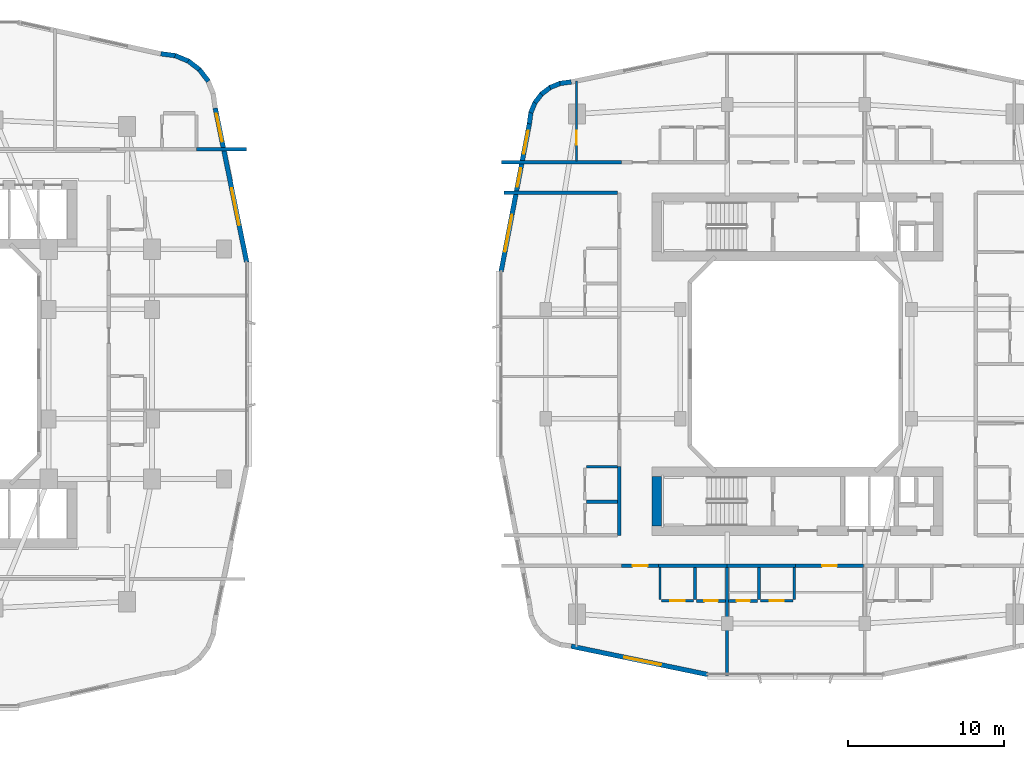
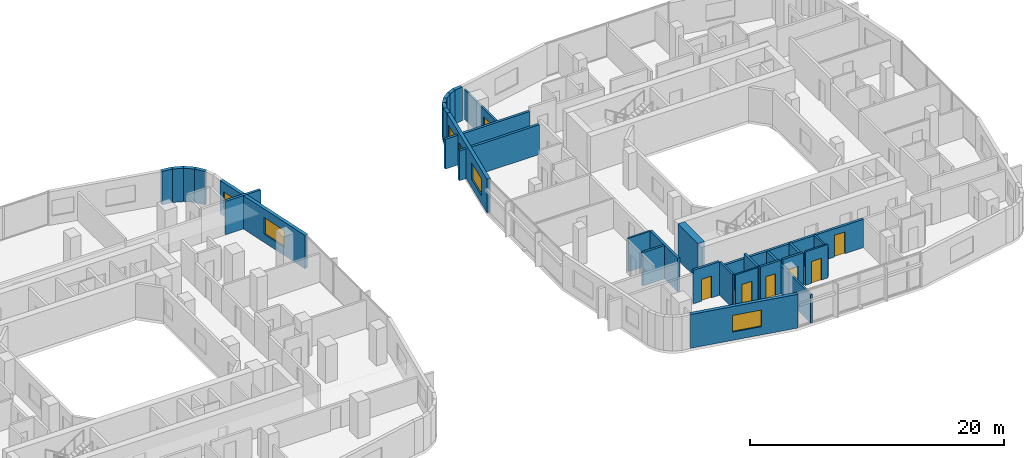
# One storey, part 17 of 26: 34 walls, 7 doors, 6 windows, 13 openings.
"""IFC4 building model written with IfcOpenShell, lengths in metres."""

import ifcopenshell
import ifcopenshell.guid

model = None  # the IFC model being written
_history = None  # IfcOwnerHistory: only IFC2X3 demands one
_inside = {}  # id of a spatial element -> (the spatial element, [elements in it])
_under = {}  # id of a project, library or spatial element -> (it, [spatial elements below it])
_declared = {}  # id of a project -> (the project, [libraries it declares])
_typed = {}  # id of a type object -> (the type object, [elements of that type])
_made_of = {}  # id of a material, layer set ... -> (it, [elements and type objects made of it])


def new_model(schema):
    """Start an empty IFC model of exactly this schema.

    Asked for "IFC4X3", IfcOpenShell would pick the latest addendum, in which some entities
    have other attributes; the version numbers below select the first issue.
    IFC2X3 requires an IfcOwnerHistory on every rooted entity: one is made here for all.
    """
    global model, _history
    if schema == "IFC4X3":
        model = ifcopenshell.file(schema_version=(4, 3, 0, 0))
    else:
        model = ifcopenshell.file(schema=schema)
    _inside.clear()
    _under.clear()
    _declared.clear()
    _typed.clear()
    _made_of.clear()
    _history = None
    if model.schema == "IFC2X3":
        org = make("IfcOrganization", Name="unknown")
        user = make(
            "IfcPersonAndOrganization",
            ThePerson=make("IfcPerson", FamilyName="unknown"),
            TheOrganization=org,
        )
        app = make(
            "IfcApplication",
            ApplicationDeveloper=org,
            Version="unknown",
            ApplicationFullName="unknown",
            ApplicationIdentifier="unknown",
        )
        _history = make(
            "IfcOwnerHistory",
            OwningUser=user,
            OwningApplication=app,
            ChangeAction="ADDED",
            CreationDate=0,
        )
    return model


def make(cls, **values):
    """One entity of the class cls with the attributes given. An attribute that is None is left unset."""
    return model.create_entity(
        cls, **{name: value for name, value in values.items() if value is not None}
    )


def rooted(cls, **values):
    """An entity with a GlobalId (a new one), such as an element, a storey or a relation."""
    return make(cls, GlobalId=ifcopenshell.guid.new(), OwnerHistory=_history, **values)


def si_unit(unit_type, name, prefix=None):
    """IfcSIUnit, for example si_unit("LENGTHUNIT", "METRE", prefix="MILLI")."""
    return make("IfcSIUnit", UnitType=unit_type, Prefix=prefix, Name=name)


def derived_unit(unit_type, elements):
    """IfcDerivedUnit: a product of units, each with its exponent."""
    return make(
        "IfcDerivedUnit",
        Elements=[
            make("IfcDerivedUnitElement", Unit=unit, Exponent=power)
            for unit, power in elements
        ],
        UnitType=unit_type,
    )


def assignment(units):
    """IfcUnitAssignment: the units of a project."""
    return None if units is None else make("IfcUnitAssignment", Units=units)


def point(xyz):
    """IfcCartesianPoint."""
    return None if xyz is None else make("IfcCartesianPoint", Coordinates=xyz)


def direction(xyz):
    """IfcDirection."""
    return None if xyz is None else make("IfcDirection", DirectionRatios=xyz)


def frame(location, z_axis=None, x_axis=None):
    """IfcAxis2Placement3D, a coordinate frame: its origin and axes. An axis left out is left unset."""
    return make(
        "IfcAxis2Placement3D",
        Location=point(location),
        Axis=direction(z_axis),
        RefDirection=direction(x_axis),
    )


def frame_2d(location, x_axis=None):
    """IfcAxis2Placement2D, a coordinate frame in the plane: its origin and x axis."""
    return make(
        "IfcAxis2Placement2D", Location=point(location), RefDirection=direction(x_axis)
    )


def origin():
    """The frame at (0, 0, 0) with its axes left unset."""
    return frame((0.0, 0.0, 0.0))


def place(relative_to, where):
    """IfcLocalPlacement: puts the frame where relative to a parent placement (None: the world)."""
    return make(
        "IfcLocalPlacement", PlacementRelTo=relative_to, RelativePlacement=where
    )


def context(
    kind, dimensions, precision=None, world=None, true_north=None, identifier=None
):
    """IfcGeometricRepresentationContext, for example the 3D "Model" context."""
    return make(
        "IfcGeometricRepresentationContext",
        ContextIdentifier=identifier,
        ContextType=kind,
        CoordinateSpaceDimension=dimensions,
        Precision=precision,
        WorldCoordinateSystem=world,
        TrueNorth=true_north,
    )


def subcontext(parent, identifier, kind, view, scale=None):
    """IfcGeometricRepresentationSubContext, for example "Body" below "Model"."""
    return make(
        "IfcGeometricRepresentationSubContext",
        ContextIdentifier=identifier,
        ContextType=kind,
        ParentContext=parent,
        TargetScale=scale,
        TargetView=view,
    )


def project(units=None, contexts=None):
    """IfcProject with its units and contexts."""
    return rooted(
        "IfcProject",
        Name="project",
        RepresentationContexts=contexts,
        UnitsInContext=assignment(units),
    )


def spatial(cls, under=None, at=None, **own):
    """A site, building, storey or space (cls), placed at a placement, below another one or the project."""
    s = rooted(cls, ObjectPlacement=at, **own)
    if under is not None:
        _under.setdefault(under.id(), (under, []))[1].append(s)
    return s


def profile(cls, at=None, kind="AREA", **sizes):
    """A parametric profile (cls). Its sizes go by their IFC names, for example OverallWidth=200.0."""
    return make(cls, ProfileType=kind, Position=at, **sizes)


def rectangle(**sizes):
    """IfcRectangleProfileDef."""
    return profile("IfcRectangleProfileDef", **sizes)


def extrude(swept, where, along, depth):
    """IfcExtrudedAreaSolid: the profile swept, set in the frame where, extruded along a direction by depth."""
    return make(
        "IfcExtrudedAreaSolid",
        SweptArea=swept,
        Position=where,
        ExtrudedDirection=direction(along),
        Depth=depth,
    )


def shape(context_of_items, identifier, shape_type, items):
    """IfcShapeRepresentation: the items that make up one representation, for example the "Body"."""
    return make(
        "IfcShapeRepresentation",
        ContextOfItems=context_of_items,
        RepresentationIdentifier=identifier,
        RepresentationType=shape_type,
        Items=items,
    )


def material(Name=None, Category=None):
    """IfcMaterial."""
    return make("IfcMaterial", Name=Name, Category=Category)


def layer(
    of_material, thickness, ventilated=None, Name=None, Category=None, Priority=None
):
    """IfcMaterialLayer: one layer of a wall or slab, of a material (None: an air gap)."""
    return make(
        "IfcMaterialLayer",
        Material=of_material,
        LayerThickness=thickness,
        IsVentilated=ventilated,
        Name=Name,
        Category=Category,
        Priority=Priority,
    )


def layer_set(layers, Name=None):
    """IfcMaterialLayerSet."""
    return make("IfcMaterialLayerSet", MaterialLayers=layers, LayerSetName=Name)


def made_of(thing, what):
    """Note that an element or type object is made of a material, layer set ...; save() writes the relation."""
    if what is not None:
        _made_of.setdefault(what.id(), (what, []))[1].append(thing)
    return thing


def type_object(cls, material=None, **own):
    """A type object (cls), such as IfcWallType, which elements share."""
    return made_of(rooted(cls, **own), material)


def element(
    cls,
    number,
    at=None,
    inside=None,
    cuts=None,
    type_object=None,
    material=None,
    context=None,
    identifier="Body",
    shape_type=None,
    held_by="IfcProductDefinitionShape",
    body=None,
    shapes=None,
    **own,
):
    """One element of the class cls, such as IfcWall. Its Tag is "e" and its number.

    at: its placement. inside: the storey or other place that contains it. cuts: it is an
    opening in that element (IfcRelVoidsElement). A single representation is given by context,
    identifier, shape_type and body (its items); several are given by shapes. held_by: the class
    of the entity that holds the representations. save() writes the other relations.
    """
    e = rooted(cls, Tag="e%d" % number, ObjectPlacement=at, **own)
    if body is not None:
        shapes = [shape(context, identifier, shape_type, body)]
    if shapes is not None:
        e.Representation = make(held_by, Representations=shapes)
    if inside is not None:
        _inside.setdefault(inside.id(), (inside, []))[1].append(e)
    if cuts is not None:
        rooted(
            "IfcRelVoidsElement", RelatingBuildingElement=cuts, RelatedOpeningElement=e
        )
    if type_object is not None:
        _typed.setdefault(type_object.id(), (type_object, []))[1].append(e)
    return made_of(e, material)


def fill(opening, filler):
    """IfcRelFillsElement: the door or window that sits in an opening."""
    return rooted(
        "IfcRelFillsElement",
        RelatingOpeningElement=opening,
        RelatedBuildingElement=filler,
    )


def aggregate(whole, parts):
    """IfcRelAggregates: a whole, such as a stair, and the parts it consists of."""
    return rooted("IfcRelAggregates", RelatingObject=whole, RelatedObjects=parts)


def save(model, path):
    """Write the relations noted so far, then the file.

    IfcRelAggregates (storeys below a building ...), IfcRelContainedInSpatialStructure (elements
    in a storey), IfcRelDefinesByType, IfcRelAssociatesMaterial and IfcRelDeclares: one each for
    every whole, place, type object, material and project.
    """
    for whole, parts in _under.values():
        aggregate(whole, parts)
    for where, things in _inside.values():
        rooted(
            "IfcRelContainedInSpatialStructure",
            RelatedElements=things,
            RelatingStructure=where,
        )
    for kind, things in _typed.values():
        rooted("IfcRelDefinesByType", RelatedObjects=things, RelatingType=kind)
    for what, things in _made_of.values():
        rooted("IfcRelAssociatesMaterial", RelatedObjects=things, RelatingMaterial=what)
    for by, libraries in _declared.values():
        rooted("IfcRelDeclares", RelatingContext=by, RelatedDefinitions=libraries)
    model.write(path)


model = new_model("IFC4")

# Units and contexts
model_context = context("Model", 3, precision=1e-05, world=origin(), true_north=direction((0.0, 1.0)))
body_context = subcontext(model_context, "Body", "Model", "MODEL_VIEW")
ifc_project = project(units=[si_unit("LENGTHUNIT", "METRE"), si_unit("AREAUNIT", "SQUARE_METRE"), si_unit("VOLUMEUNIT", "CUBIC_METRE"), si_unit("PLANEANGLEUNIT", "RADIAN"), si_unit("MASSUNIT", "GRAM", prefix="KILO"), derived_unit("THERMALTRANSMITTANCEUNIT", [(si_unit("POWERUNIT", "WATT"), 1), (si_unit("LENGTHUNIT", "METRE"), -2), (si_unit("THERMODYNAMICTEMPERATUREUNIT", "KELVIN"), -1)])], contexts=[model_context])

# Site, building, storey
site_placement = place(None, origin())
site = spatial("IfcSite", under=ifc_project, at=site_placement, CompositionType="ELEMENT")
building_placement = place(site_placement, origin())
building = spatial("IfcBuilding", under=site, at=building_placement, Name="Kivonza Crest Hotel", CompositionType="ELEMENT")
storey_placement = place(building_placement, frame((0.0, 0.0, 52.0)))
storey = spatial("IfcBuildingStorey", under=building, at=storey_placement, Name="L13", CompositionType="ELEMENT", Elevation=52.0)

# Walls
ifc_material_1 = material(Name="High-density acoustic masonry inter-tenancy wall", Category="masonry")
ifc_layer_1 = layer(ifc_material_1, 0.179931640625)
ifc_layer_set_1 = layer_set([ifc_layer_1], Name="High-density acoustic masonry inter-tenancy wall")
wall_type_1 = type_object("IfcWallType", Name="WL-ACOU-180", PredefinedType="SOLIDWALL", material=ifc_layer_set_1)
wall_1_placement = place(storey_placement, frame((72.60009765625, 5.06005859375, 0.0), z_axis=(0.0, 0.0, 1.0), x_axis=(0.0, 1.0, 0.0)))
element("IfcWall", 1, at=wall_1_placement, inside=storey, type_object=wall_type_1, Name="L13 interior partition WA-L13-T2S-DIV1", PredefinedType="SOLIDWALL", context=body_context, shape_type="SweptSolid", body=[
    extrude(rectangle(XDim=7.0400390625, YDim=0.179931640625, at=frame_2d((3.52001953125, 0.0))), origin(), (0.0, 0.0, 1.0), 2.72509765625),
])
ifc_material_2 = material(Name="Autoclaved aerated concrete blockwork", Category="masonry")
ifc_layer_2 = layer(ifc_material_2, 0.219970703125)
ifc_layer_set_2 = layer_set([ifc_layer_2], Name="Autoclaved aerated concrete blockwork")
wall_type_2 = type_object("IfcWallType", Name="WL-ACOU-220", PredefinedType="SOLIDWALL", material=ifc_layer_set_2)
wall_2_placement = place(storey_placement, frame((38.64990234375, 38.75, 0.0), z_axis=(0.0, 0.0, 1.0), x_axis=(1.0, 0.0, 0.0)))
element("IfcWall", 2, at=wall_2_placement, inside=storey, type_object=wall_type_2, Name="L13 interior partition WA-L13-N02-XCORR", PredefinedType="SOLIDWALL", context=body_context, shape_type="SweptSolid", body=[
    extrude(rectangle(XDim=3.190185546875, YDim=0.219970703125, at=frame_2d((1.59521484375, 0.0))), origin(), (0.0, 0.0, 1.0), 3.219970703125),
])
wall_3_placement = place(storey_placement, frame((58.159912109375, 37.89990234375, 0.0), z_axis=(0.0, 0.0, 1.0), x_axis=(1.0, 0.0, 0.0)))
element("IfcWall", 3, at=wall_3_placement, inside=storey, type_object=wall_type_2, Name="L13 interior partition WA-L13-A01-LCORR", PredefinedType="SOLIDWALL", context=body_context, shape_type="SweptSolid", body=[
    extrude(rectangle(XDim=7.690185546875, YDim=0.219970703125, at=frame_2d((3.84521484375, 0.0))), origin(), (0.0, 0.0, 1.0), 2.864990234375),
])
wall_4_placement = place(storey_placement, frame((68.219970703125, 12.10009765625, 0.0), z_axis=(0.0, 0.0, 1.0), x_axis=(1.0, 0.0, 0.0)))
element("IfcWall", 4, at=wall_4_placement, inside=storey, type_object=wall_type_2, Name="L13 interior partition WA-L13-A03-RCORR", PredefinedType="SOLIDWALL", context=body_context, shape_type="SweptSolid", body=[
    extrude(rectangle(XDim=4.380126953125, YDim=0.219970703125, at=frame_2d((2.18994140625, 0.0))), origin(), (0.0, 0.0, 1.0), 2.72509765625),
])

# Wall, opening, door
wall_5_placement = place(storey_placement, frame((65.85009765625, 12.10009765625, 0.0), z_axis=(0.0, 0.0, 1.0), x_axis=(1.0, 0.0, 0.0)))
wall_5 = element("IfcWall", 5, at=wall_5_placement, inside=storey, type_object=wall_type_2, Name="L13 interior partition WA-L13-A03-MCORR", PredefinedType="SOLIDWALL", context=body_context, shape_type="SweptSolid", body=[
    extrude(rectangle(XDim=2.369873046875, YDim=0.219970703125, at=frame_2d((1.18505859375, 0.0))), origin(), (0.0, 0.0, 1.0), 3.219970703125),
])
opening_1_placement = place(wall_5_placement, frame((0.7099609375, 0.0, 0.0)))
opening_1 = element("IfcOpeningElement", 6, at=opening_1_placement, cuts=wall_5, Name="Opening DU-60", PredefinedType="OPENING", context=body_context, shape_type="SweptSolid", body=[
    extrude(rectangle(XDim=0.949951171875, YDim=2.10009765625, at=frame_2d((0.47509765625, 1.050048828125))), frame((0.0, 0.1201171875, 0.0), z_axis=(0.0, -1.0, 0.0), x_axis=(1.0, 0.0, 0.0)), (0.0, 0.0, 1.0), 0.239990234375),
])
ifc_material_3 = material(Name="Hardwood timber oak", Category="wood")
door_type_1 = type_object("IfcDoorType", Name="DR-UNIT-950", OperationType="NOTDEFINED", PredefinedType="DOOR", material=ifc_material_3)
door_1_placement = place(opening_1_placement, frame((0.949951171875, 0.0, 0.0), z_axis=(0.0, 0.0, 1.0), x_axis=(-1.0, 0.0, 0.0)))
door_1 = element("IfcDoor", 7, at=door_1_placement, inside=storey, type_object=door_type_1, Name="L13 A03 apartment entrance fire door", OperationType="SINGLE_SWING_LEFT", OverallHeight=2.10009765625, OverallWidth=0.949951171875, PredefinedType="DOOR", context=body_context, shape_type="SweptSolid", body=[
    extrude(rectangle(XDim=0.949951171875, YDim=2.10009765625, at=frame_2d((0.47509765625, 1.050048828125))), frame((0.0, 0.02490234375, 0.0), z_axis=(0.0, -1.0, 0.0), x_axis=(1.0, 0.0, 0.0)), (0.0, 0.0, 1.0), 0.050048828125),
])
fill(opening_1, door_1)

# Wall
wall_6_placement = place(storey_placement, frame((72.60009765625, 12.10009765625, 0.0), z_axis=(0.0, 0.0, 1.0), x_axis=(1.0, 0.0, 0.0)))
element("IfcWall", 8, at=wall_6_placement, inside=storey, type_object=wall_type_2, Name="L13 interior partition WA-L13-A04-LCORR", PredefinedType="SOLIDWALL", context=body_context, shape_type="SweptSolid", body=[
    extrude(rectangle(XDim=4.3798828125, YDim=0.219970703125, at=frame_2d((2.18994140625, 0.0))), origin(), (0.0, 0.0, 1.0), 2.72509765625),
])

# Wall, opening, door
wall_7_placement = place(storey_placement, frame((76.97998046875, 12.10009765625, 0.0), z_axis=(0.0, 0.0, 1.0), x_axis=(1.0, 0.0, 0.0)))
wall_7 = element("IfcWall", 9, at=wall_7_placement, inside=storey, type_object=wall_type_2, Name="L13 interior partition WA-L13-A04-MCORR", PredefinedType="SOLIDWALL", context=body_context, shape_type="SweptSolid", body=[
    extrude(rectangle(XDim=4.340087890625, YDim=0.219970703125, at=frame_2d((2.169921875, 0.0))), origin(), (0.0, 0.0, 1.0), 2.72509765625),
])
opening_2_placement = place(wall_7_placement, frame((1.695068359375, 0.0, 0.0)))
opening_2 = element("IfcOpeningElement", 10, at=opening_2_placement, cuts=wall_7, Name="Opening DU-60", PredefinedType="OPENING", context=body_context, shape_type="SweptSolid", body=[
    extrude(rectangle(XDim=0.949951171875, YDim=2.10009765625, at=frame_2d((0.47509765625, 1.050048828125))), frame((0.0, 0.1201171875, 0.0), z_axis=(0.0, -1.0, 0.0), x_axis=(1.0, 0.0, 0.0)), (0.0, 0.0, 1.0), 0.239990234375),
])
door_2_placement = place(opening_2_placement, frame((0.949951171875, 0.0, 0.0), z_axis=(0.0, 0.0, 1.0), x_axis=(-1.0, 0.0, 0.0)))
door_2 = element("IfcDoor", 11, at=door_2_placement, inside=storey, type_object=door_type_1, Name="L13 A04 apartment entrance fire door", OperationType="SINGLE_SWING_RIGHT", OverallHeight=2.10009765625, OverallWidth=0.949951171875, PredefinedType="DOOR", context=body_context, shape_type="SweptSolid", body=[
    extrude(rectangle(XDim=0.949951171875, YDim=2.10009765625, at=frame_2d((0.47509765625, 1.050048828125))), frame((0.0, 0.02490234375, 0.0), z_axis=(0.0, -1.0, 0.0), x_axis=(1.0, 0.0, 0.0)), (0.0, 0.0, 1.0), 0.050048828125),
])
fill(opening_2, door_2)

# Walls
wall_8_placement = place(storey_placement, frame((58.320068359375, 35.9599609375, 0.0), z_axis=(0.0, 0.0, 1.0), x_axis=(1.0, 0.0, 0.0)))
element("IfcWall", 12, at=wall_8_placement, inside=storey, type_object=wall_type_2, Name="L13 interior partition WA-L13-T2W-ENDN", PredefinedType="SOLIDWALL", context=body_context, shape_type="SweptSolid", body=[
    extrude(rectangle(XDim=7.280029296875, YDim=0.219970703125, at=frame_2d((3.64013671875, 0.0))), origin(), (0.0, 0.0, 1.0), 2.864990234375),
])
wall_9_placement = place(storey_placement, frame((65.699951171875, 14.0400390625, 0.0), z_axis=(0.0, 0.0, 1.0), x_axis=(0.0, 1.0, 0.0)))
element("IfcWall", 13, at=wall_9_placement, inside=storey, type_object=wall_type_2, Name="L13 interior partition WA-L13-A06-BCORR", PredefinedType="SOLIDWALL", context=body_context, shape_type="SweptSolid", body=[
    extrude(rectangle(XDim=4.39990234375, YDim=0.219970703125, at=frame_2d((2.199951171875, 0.0))), origin(), (0.0, 0.0, 1.0), 3.219970703125),
])
ifc_material_4 = material(Name="Concrete C60/75", Category="concrete")
ifc_layer_3 = layer(ifc_material_4, 0.60009765625)
ifc_layer_set_3 = layer_set([ifc_layer_3], Name="Concrete C60/75")
wall_type_3 = type_object("IfcWallType", Name="WL-CORE-600", PredefinedType="SHEAR", material=ifc_layer_set_3)
wall_10_placement = place(storey_placement, frame((68.10009765625, 14.639892578125, 0.0), z_axis=(0.0, 0.0, 1.0), x_axis=(0.0, 1.0, 0.0)))
element("IfcWall", 14, at=wall_10_placement, inside=storey, type_object=wall_type_3, Name="Core wall T2-S West L13", PredefinedType="SHEAR", context=body_context, shape_type="SweptSolid", body=[
    extrude(rectangle(XDim=3.16015625, YDim=0.60009765625, at=frame_2d((1.580078125, 0.0))), origin(), (0.0, 0.0, 1.0), 3.5),
])

# Wall, openings, windows
ifc_material_5 = material(Name="Precast concrete C40/50", Category="concrete")
ifc_layer_4 = layer(ifc_material_5, 0.300048828125)
ifc_layer_set_4 = layer_set([ifc_layer_4], Name="Precast concrete C40/50")
wall_type_4 = type_object("IfcWallType", Name="WL-EXT-300", PredefinedType="STANDARD", material=ifc_layer_set_4)
wall_11_placement = place(storey_placement, frame((41.864013671875, 31.51611328125, 0.0), z_axis=(0.0, 0.0, 1.0), x_axis=(-0.199990901713, 0.979797754249, 0.0)))
wall_11 = element("IfcWall", 15, at=wall_11_placement, inside=storey, type_object=wall_type_4, Name="L13 T1 exterior insulated wall 18", PredefinedType="STANDARD", context=body_context, shape_type="SweptSolid", body=[
    extrude(rectangle(XDim=10.065185546875, YDim=0.300048828125, at=frame_2d((5.03271484375, 0.0))), origin(), (0.0, 0.0, 1.0), 3.219970703125),
])
opening_3_placement = place(wall_11_placement, frame((2.428955078125, 0.0, 0.800048828125)))
opening_3 = element("IfcOpeningElement", 16, at=opening_3_placement, cuts=wall_11, Name="Opening WN-05", PredefinedType="OPENING", context=body_context, shape_type="SweptSolid", body=[
    extrude(rectangle(XDim=2.39990234375, YDim=1.60009765625, at=frame_2d((1.199951171875, 0.800048828125))), frame((0.0, 0.16015625, 0.0), z_axis=(0.0, -1.0, 0.0), x_axis=(1.0, 0.0, 0.0)), (0.0, 0.0, 1.0), 0.320068359375),
])
opening_4_placement = place(wall_11_placement, frame((7.886962890625, 0.0, 0.85009765625)))
opening_4 = element("IfcOpeningElement", 17, at=opening_4_placement, cuts=wall_11, Name="Opening WN-03", PredefinedType="OPENING", context=body_context, shape_type="SweptSolid", body=[
    extrude(rectangle(XDim=1.800048828125, YDim=1.5, at=frame_2d((0.89990234375, 0.75))), frame((0.0, 0.16015625, 0.0), z_axis=(0.0, -1.0, 0.0), x_axis=(1.0, 0.0, 0.0)), (0.0, 0.0, 1.0), 0.320068359375),
])
ifc_material_6 = material(Name="Thermally broken bronze aluminium and low-E double glazing", Category="aluminium")
window_type_1 = type_object("IfcWindowType", Name="WN-180x150", PartitioningType="DOUBLE_PANEL_VERTICAL", PredefinedType="WINDOW", material=ifc_material_6)
window_1_placement = place(opening_4_placement, origin())
window_1 = element("IfcWindow", 18, at=window_1_placement, inside=storey, type_object=window_type_1, Name="L13 T1 facade window 18 bay 2", OverallHeight=1.5, OverallWidth=1.800048828125, PartitioningType="SINGLE_PANEL", PredefinedType="WINDOW", context=body_context, shape_type="SweptSolid", body=[
    extrude(rectangle(XDim=1.800048828125, YDim=1.5, at=frame_2d((0.89990234375, 0.75))), frame((0.0, 0.030029296875, 0.0), z_axis=(0.0, -1.0, 0.0), x_axis=(1.0, 0.0, 0.0)), (0.0, 0.0, 1.0), 0.06005859375),
])
fill(opening_4, window_1)
window_type_2 = type_object("IfcWindowType", Name="WN-240x160", PartitioningType="TRIPLE_PANEL_VERTICAL", PredefinedType="WINDOW", material=ifc_material_6)
window_2_placement = place(opening_3_placement, origin())
window_2 = element("IfcWindow", 19, at=window_2_placement, inside=storey, type_object=window_type_2, Name="L13 T1 facade window 18 bay 1", OverallHeight=1.60009765625, OverallWidth=2.39990234375, PartitioningType="SINGLE_PANEL", PredefinedType="WINDOW", context=body_context, shape_type="SweptSolid", body=[
    extrude(rectangle(XDim=2.39990234375, YDim=1.60009765625, at=frame_2d((1.199951171875, 0.800048828125))), frame((0.0, 0.030029296875, 0.0), z_axis=(0.0, -1.0, 0.0), x_axis=(1.0, 0.0, 0.0)), (0.0, 0.0, 1.0), 0.06005859375),
])
fill(opening_3, window_2)

# Walls
wall_12_placement = place(storey_placement, frame((39.4140625, 43.089111328125, 0.0), z_axis=(0.0, 0.0, 1.0), x_axis=(-0.608474481025, 0.793573440799, 0.0)))
element("IfcWall", 20, at=wall_12_placement, inside=storey, type_object=wall_type_4, Name="L13 T1 exterior insulated wall 21", PredefinedType="STANDARD", context=body_context, shape_type="SweptSolid", body=[
    extrude(rectangle(XDim=0.954833984375, YDim=0.300048828125, at=frame_2d((0.4775390625, 0.0))), origin(), (0.0, 0.0, 1.0), 3.219970703125),
])
wall_13_placement = place(storey_placement, frame((38.875, 43.81201171875, 0.0), z_axis=(0.0, 0.0, 1.0), x_axis=(-0.793668068435, 0.608351047625, 0.0)))
element("IfcWall", 21, at=wall_13_placement, inside=storey, type_object=wall_type_4, Name="L13 T1 exterior insulated wall 22", PredefinedType="STANDARD", context=body_context, shape_type="SweptSolid", body=[
    extrude(rectangle(XDim=0.955078125, YDim=0.300048828125, at=frame_2d((0.4775390625, 0.0))), origin(), (0.0, 0.0, 1.0), 3.219970703125),
])
wall_14_placement = place(storey_placement, frame((38.166015625, 44.368896484375, 0.0), z_axis=(0.0, 0.0, 1.0), x_axis=(-0.924019948111, 0.382344263057, 0.0)))
element("IfcWall", 22, at=wall_14_placement, inside=storey, type_object=wall_type_4, Name="L13 T1 exterior insulated wall 23", PredefinedType="STANDARD", context=body_context, shape_type="SweptSolid", body=[
    extrude(rectangle(XDim=0.95458984375, YDim=0.300048828125, at=frame_2d((0.477294921875, 0.0))), origin(), (0.0, 0.0, 1.0), 3.219970703125),
])
wall_15_placement = place(storey_placement, frame((37.3369140625, 44.72509765625, 0.0), z_axis=(0.0, 0.0, 1.0), x_axis=(-0.991454295543, 0.130454512571, 0.0)))
element("IfcWall", 23, at=wall_15_placement, inside=storey, type_object=wall_type_4, Name="L13 T1 exterior insulated wall 24", PredefinedType="STANDARD", context=body_context, shape_type="SweptSolid", body=[
    extrude(rectangle(XDim=0.97314453125, YDim=0.300048828125, at=frame_2d((0.486572265625, 0.0))), origin(), (0.0, 0.0, 1.0), 3.219970703125),
])

# Wall, opening, window
wall_16_placement = place(storey_placement, frame((62.6220703125, 6.948974609375, 0.0), z_axis=(0.0, 0.0, 1.0), x_axis=(0.979127260729, -0.203248142175, 0.0)))
wall_16 = element("IfcWall", 24, at=wall_16_placement, inside=storey, type_object=wall_type_4, Name="L13 T2 exterior insulated wall 7", PredefinedType="STANDARD", context=body_context, shape_type="SweptSolid", body=[
    extrude(rectangle(XDim=8.920166015625, YDim=0.300048828125, at=frame_2d((4.4599609375, 0.0))), origin(), (0.0, 0.0, 1.0), 3.25),
])
opening_5_placement = place(wall_16_placement, frame((3.471923828125, 0.0, 0.800048828125)))
opening_5 = element("IfcOpeningElement", 25, at=opening_5_placement, cuts=wall_16, Name="Opening WN-05", PredefinedType="OPENING", context=body_context, shape_type="SweptSolid", body=[
    extrude(rectangle(XDim=2.39990234375, YDim=1.60009765625, at=frame_2d((1.199951171875, 0.800048828125))), frame((0.0, 0.16015625, 0.0), z_axis=(0.0, -1.0, 0.0), x_axis=(1.0, 0.0, 0.0)), (0.0, 0.0, 1.0), 0.320068359375),
])
window_3_placement = place(opening_5_placement, origin())
window_3 = element("IfcWindow", 26, at=window_3_placement, inside=storey, type_object=window_type_2, Name="L13 T2 facade window 7", OverallHeight=1.60009765625, OverallWidth=2.39990234375, PartitioningType="SINGLE_PANEL", PredefinedType="WINDOW", context=body_context, shape_type="SweptSolid", body=[
    extrude(rectangle(XDim=2.39990234375, YDim=1.60009765625, at=frame_2d((1.199951171875, 0.800048828125))), frame((0.0, 0.030029296875, 0.0), z_axis=(0.0, -1.0, 0.0), x_axis=(1.0, 0.0, 0.0)), (0.0, 0.0, 1.0), 0.06005859375),
])
fill(opening_5, window_3)

# Walls
wall_17_placement = place(storey_placement, frame((62.626953125, 43.052001953125, 0.0), z_axis=(0.0, 0.0, 1.0), x_axis=(-0.991480488834, -0.130255288807, 0.0)))
element("IfcWall", 27, at=wall_17_placement, inside=storey, type_object=wall_type_4, Name="L13 T2 exterior insulated wall 28", PredefinedType="STANDARD", context=body_context, shape_type="SweptSolid", body=[
    extrude(rectangle(XDim=0.72900390625, YDim=0.300048828125, at=frame_2d((0.364501953125, 0.0))), origin(), (0.0, 0.0, 1.0), 3.25),
])
for number, where, z_axis, x_axis, name in (
    (28, (61.955078125, 42.97607421875, 0.0), (0.0, 0.0, 1.0), (-0.923521684703, -0.383546213491, 0.0), "L13 T2 exterior insulated wall 29"),
    (29, (61.31103515625, 42.720947265625, 0.0), (0.0, 0.0, 1.0), (-0.79363269798, -0.608397189915, 0.0), "L13 T2 exterior insulated wall 30"),
    (30, (60.75390625, 42.30908203125, 0.0), (0.0, 0.0, 1.0), (-0.608397189915, -0.79363269798, 0.0), "L13 T2 exterior insulated wall 31"),
    (31, (60.323974609375, 41.76611328125, 0.0), (0.0, 0.0, 1.0), (-0.383151213466, -0.923685632463, 0.0), "L13 T2 exterior insulated wall 32"),
):
    element("IfcWall", number, at=place(storey_placement, frame(where, z_axis=z_axis, x_axis=x_axis)), inside=storey, type_object=wall_type_4, Name=name, PredefinedType="STANDARD", context=body_context, shape_type="SweptSolid", body=[
        extrude(rectangle(XDim=0.74609375, YDim=0.300048828125, at=frame_2d((0.373046875, 0.0))), origin(), (0.0, 0.0, 1.0), 3.25),
    ])
wall_18_placement = place(storey_placement, frame((60.047119140625, 41.131103515625, 0.0), z_axis=(0.0, 0.0, 1.0), x_axis=(-0.129653178221, -0.991559404866, 0.0)))
element("IfcWall", 32, at=wall_18_placement, inside=storey, type_object=wall_type_4, Name="L13 T2 exterior insulated wall 33", PredefinedType="STANDARD", context=body_context, shape_type="SweptSolid", body=[
    extrude(rectangle(XDim=0.764404296875, YDim=0.300048828125, at=frame_2d((0.38232421875, 0.0))), origin(), (0.0, 0.0, 1.0), 3.25),
])

# Wall, openings, windows
wall_19_placement = place(storey_placement, frame((59.948974609375, 40.3798828125, 0.0), z_axis=(0.0, 0.0, 1.0), x_axis=(-0.188087874316, -0.982152203854, 0.0)))
wall_19 = element("IfcWall", 33, at=wall_19_placement, inside=storey, type_object=wall_type_4, Name="L13 T2 exterior insulated wall 34", PredefinedType="STANDARD", context=body_context, shape_type="SweptSolid", body=[
    extrude(rectangle(XDim=9.6337890625, YDim=0.300048828125, at=frame_2d((4.81689453125, 0.0))), origin(), (0.0, 0.0, 1.0), 3.25),
])
opening_6_placement = place(wall_19_placement, frame((0.451904296875, 0.0, 0.85009765625)))
opening_6 = element("IfcOpeningElement", 34, at=opening_6_placement, cuts=wall_19, Name="Opening WN-02", PredefinedType="OPENING", context=body_context, shape_type="SweptSolid", body=[
    extrude(rectangle(XDim=1.5, YDim=1.5, at=frame_2d((0.75, 0.75))), frame((0.0, 0.16015625, 0.0), z_axis=(0.0, -1.0, 0.0), x_axis=(1.0, 0.0, 0.0)), (0.0, 0.0, 1.0), 0.320068359375),
])
opening_7_placement = place(wall_19_placement, frame((2.9130859375, 0.0, 0.85009765625)))
opening_7 = element("IfcOpeningElement", 35, at=opening_7_placement, cuts=wall_19, Name="Opening WN-01", PredefinedType="OPENING", context=body_context, shape_type="SweptSolid", body=[
    extrude(rectangle(XDim=1.199951171875, YDim=1.5, at=frame_2d((0.60009765625, 0.75))), frame((0.0, 0.16015625, 0.0), z_axis=(0.0, -1.0, 0.0), x_axis=(1.0, 0.0, 0.0)), (0.0, 0.0, 1.0), 0.320068359375),
])
opening_8_placement = place(wall_19_placement, frame((5.927978515625, 0.0, 0.800048828125)))
opening_8 = element("IfcOpeningElement", 36, at=opening_8_placement, cuts=wall_19, Name="Opening WN-05", PredefinedType="OPENING", context=body_context, shape_type="SweptSolid", body=[
    extrude(rectangle(XDim=2.39990234375, YDim=1.60009765625, at=frame_2d((1.199951171875, 0.800048828125))), frame((0.0, 0.16015625, 0.0), z_axis=(0.0, -1.0, 0.0), x_axis=(1.0, 0.0, 0.0)), (0.0, 0.0, 1.0), 0.320068359375),
])
window_type_3 = type_object("IfcWindowType", Name="WN-120x150", PartitioningType="SINGLE_PANEL", PredefinedType="WINDOW", material=ifc_material_6)
window_4_placement = place(opening_7_placement, origin())
window_4 = element("IfcWindow", 37, at=window_4_placement, inside=storey, type_object=window_type_3, Name="L13 T2 facade window 34 bay 2", OverallHeight=1.5, OverallWidth=1.199951171875, PartitioningType="SINGLE_PANEL", PredefinedType="WINDOW", context=body_context, shape_type="SweptSolid", body=[
    extrude(rectangle(XDim=1.199951171875, YDim=1.5, at=frame_2d((0.60009765625, 0.75))), frame((0.0, 0.030029296875, 0.0), z_axis=(0.0, -1.0, 0.0), x_axis=(1.0, 0.0, 0.0)), (0.0, 0.0, 1.0), 0.06005859375),
])
fill(opening_7, window_4)
window_type_4 = type_object("IfcWindowType", Name="WN-150x150", PartitioningType="DOUBLE_PANEL_VERTICAL", PredefinedType="WINDOW", material=ifc_material_6)
window_5_placement = place(opening_6_placement, origin())
window_5 = element("IfcWindow", 38, at=window_5_placement, inside=storey, type_object=window_type_4, Name="L13 T2 facade window 34 bay 1", OverallHeight=1.5, OverallWidth=1.5, PartitioningType="SINGLE_PANEL", PredefinedType="WINDOW", context=body_context, shape_type="SweptSolid", body=[
    extrude(rectangle(XDim=1.5, YDim=1.5, at=frame_2d((0.75, 0.75))), frame((0.0, 0.030029296875, 0.0), z_axis=(0.0, -1.0, 0.0), x_axis=(1.0, 0.0, 0.0)), (0.0, 0.0, 1.0), 0.06005859375),
])
fill(opening_6, window_5)
window_6_placement = place(opening_8_placement, origin())
window_6 = element("IfcWindow", 39, at=window_6_placement, inside=storey, type_object=window_type_2, Name="L13 T2 facade window 34 bay 3", OverallHeight=1.60009765625, OverallWidth=2.39990234375, PartitioningType="SINGLE_PANEL", PredefinedType="WINDOW", context=body_context, shape_type="SweptSolid", body=[
    extrude(rectangle(XDim=2.39990234375, YDim=1.60009765625, at=frame_2d((1.199951171875, 0.800048828125))), frame((0.0, 0.030029296875, 0.0), z_axis=(0.0, -1.0, 0.0), x_axis=(1.0, 0.0, 0.0)), (0.0, 0.0, 1.0), 0.06005859375),
])
fill(opening_8, window_6)

# Wall, opening, door
ifc_material_7 = material(Name="Twin-stud acoustic gypsum board partition", Category="gypsum")
ifc_layer_5 = layer(ifc_material_7, 0.14990234375)
ifc_layer_set_5 = layer_set([ifc_layer_5], Name="Twin-stud acoustic gypsum board partition")
wall_type_5 = type_object("IfcWallType", Name="WL-PART-150", PredefinedType="PARTITIONING", material=ifc_layer_set_5)
wall_20_placement = place(storey_placement, frame((62.9599609375, 38.0, 0.0), z_axis=(0.0, 0.0, 1.0), x_axis=(0.0, 1.0, 0.0)))
wall_20 = element("IfcWall", 40, at=wall_20_placement, inside=storey, type_object=wall_type_5, Name="L13 interior partition WP-L13-A01-BDW1", PredefinedType="PARTITIONING", context=body_context, shape_type="SweptSolid", body=[
    extrude(rectangle(XDim=5.113037109375, YDim=0.14990234375, at=frame_2d((2.556640625, 0.0))), origin(), (0.0, 0.0, 1.0), 2.864990234375),
])
opening_9_placement = place(wall_20_placement, frame((1.030029296875, 0.0, 0.0)))
opening_9 = element("IfcOpeningElement", 41, at=opening_9_placement, cuts=wall_20, Name="Opening DI-90", PredefinedType="OPENING", context=body_context, shape_type="SweptSolid", body=[
    extrude(rectangle(XDim=0.89990234375, YDim=2.10009765625, at=frame_2d((0.449951171875, 1.050048828125))), frame((0.0, 0.0849609375, 0.0), z_axis=(0.0, -1.0, 0.0), x_axis=(1.0, 0.0, 0.0)), (0.0, 0.0, 1.0), 0.169921875),
])
door_type_2 = type_object("IfcDoorType", Name="DR-INT-900", OperationType="NOTDEFINED", PredefinedType="DOOR", material=ifc_material_3)
door_3_placement = place(opening_9_placement, origin())
door_3 = element("IfcDoor", 42, at=door_3_placement, inside=storey, type_object=door_type_2, Name="L13 A01 bedroom 1 door", OperationType="SINGLE_SWING_RIGHT", OverallHeight=2.10009765625, OverallWidth=0.89990234375, PredefinedType="DOOR", context=body_context, shape_type="SweptSolid", body=[
    extrude(rectangle(XDim=0.89990234375, YDim=2.10009765625, at=frame_2d((0.449951171875, 1.050048828125))), frame((0.0, 0.02490234375, 0.0), z_axis=(0.0, -1.0, 0.0), x_axis=(1.0, 0.0, 0.0)), (0.0, 0.0, 1.0), 0.050048828125),
])
fill(opening_9, door_3)

# Wall
wall_21_placement = place(storey_placement, frame((68.300048828125, 9.949951171875, 0.0), z_axis=(0.0, 0.0, 1.0), x_axis=(0.0, 1.0, 0.0)))
element("IfcWall", 43, at=wall_21_placement, inside=storey, type_object=wall_type_5, Name="L13 interior partition WP-L13-A03-KF", PredefinedType="PARTITIONING", context=body_context, shape_type="SweptSolid", body=[
    extrude(rectangle(XDim=2.050048828125, YDim=0.14990234375, at=frame_2d((1.02490234375, 0.0))), origin(), (0.0, 0.0, 1.0), 3.219970703125),
])

# Wall, opening, door
wall_22_placement = place(storey_placement, frame((68.39990234375, 9.85009765625, 0.0), z_axis=(0.0, 0.0, 1.0), x_axis=(1.0, 0.0, 0.0)))
wall_22 = element("IfcWall", 44, at=wall_22_placement, inside=storey, type_object=wall_type_5, Name="L13 interior partition WP-L13-A03-KSVC", PredefinedType="PARTITIONING", context=body_context, shape_type="SweptSolid", body=[
    extrude(rectangle(XDim=2.050048828125, YDim=0.14990234375, at=frame_2d((1.02490234375, 0.0))), origin(), (0.0, 0.0, 1.0), 3.219970703125),
])
opening_10_placement = place(wall_22_placement, frame((0.574951171875, 0.0, 0.0)))
opening_10 = element("IfcOpeningElement", 45, at=opening_10_placement, cuts=wall_22, Name="Opening DI-90", PredefinedType="OPENING", context=body_context, shape_type="SweptSolid", body=[
    extrude(rectangle(XDim=0.89990234375, YDim=2.10009765625, at=frame_2d((0.449951171875, 1.050048828125))), frame((0.0, 0.0849609375, 0.0), z_axis=(0.0, -1.0, 0.0), x_axis=(1.0, 0.0, 0.0)), (0.0, 0.0, 1.0), 0.169921875),
])
door_4_placement = place(opening_10_placement, frame((0.89990234375, 0.0, 0.0), z_axis=(0.0, 0.0, 1.0), x_axis=(-1.0, 0.0, 0.0)))
door_4 = element("IfcDoor", 46, at=door_4_placement, inside=storey, type_object=door_type_2, Name="L13 A03 apartment kitchen door", OperationType="SINGLE_SWING_LEFT", OverallHeight=2.10009765625, OverallWidth=0.89990234375, PredefinedType="DOOR", context=body_context, shape_type="SweptSolid", body=[
    extrude(rectangle(XDim=0.89990234375, YDim=2.10009765625, at=frame_2d((0.449951171875, 1.050048828125))), frame((0.0, 0.02490234375, 0.0), z_axis=(0.0, -1.0, 0.0), x_axis=(1.0, 0.0, 0.0)), (0.0, 0.0, 1.0), 0.050048828125),
])
fill(opening_10, door_4)

# Wall
wall_23_placement = place(storey_placement, frame((76.89990234375, 9.949951171875, 0.0), z_axis=(0.0, 0.0, 1.0), x_axis=(0.0, 1.0, 0.0)))
element("IfcWall", 47, at=wall_23_placement, inside=storey, type_object=wall_type_5, Name="L13 interior partition WP-L13-A04-KF", PredefinedType="PARTITIONING", context=body_context, shape_type="SweptSolid", body=[
    extrude(rectangle(XDim=2.050048828125, YDim=0.14990234375, at=frame_2d((1.02490234375, 0.0))), origin(), (0.0, 0.0, 1.0), 2.77490234375),
])

# Wall, opening, door
wall_24_placement = place(storey_placement, frame((74.75, 9.85009765625, 0.0), z_axis=(0.0, 0.0, 1.0), x_axis=(1.0, 0.0, 0.0)))
wall_24 = element("IfcWall", 48, at=wall_24_placement, inside=storey, type_object=wall_type_5, Name="L13 interior partition WP-L13-A04-KSVC", PredefinedType="PARTITIONING", context=body_context, shape_type="SweptSolid", body=[
    extrude(rectangle(XDim=2.050048828125, YDim=0.14990234375, at=frame_2d((1.02490234375, 0.0))), origin(), (0.0, 0.0, 1.0), 3.219970703125),
])
opening_11_placement = place(wall_24_placement, frame((0.574951171875, 0.0, 0.0)))
opening_11 = element("IfcOpeningElement", 49, at=opening_11_placement, cuts=wall_24, Name="Opening DI-90", PredefinedType="OPENING", context=body_context, shape_type="SweptSolid", body=[
    extrude(rectangle(XDim=0.89990234375, YDim=2.10009765625, at=frame_2d((0.449951171875, 1.050048828125))), frame((0.0, 0.0849609375, 0.0), z_axis=(0.0, -1.0, 0.0), x_axis=(1.0, 0.0, 0.0)), (0.0, 0.0, 1.0), 0.169921875),
])
door_5_placement = place(opening_11_placement, frame((0.89990234375, 0.0, 0.0), z_axis=(0.0, 0.0, 1.0), x_axis=(-1.0, 0.0, 0.0)))
door_5 = element("IfcDoor", 50, at=door_5_placement, inside=storey, type_object=door_type_2, Name="L13 A04 apartment kitchen door", OperationType="SINGLE_SWING_RIGHT", OverallHeight=2.10009765625, OverallWidth=0.89990234375, PredefinedType="DOOR", context=body_context, shape_type="SweptSolid", body=[
    extrude(rectangle(XDim=0.89990234375, YDim=2.10009765625, at=frame_2d((0.449951171875, 1.050048828125))), frame((0.0, 0.02490234375, 0.0), z_axis=(0.0, -1.0, 0.0), x_axis=(1.0, 0.0, 0.0)), (0.0, 0.0, 1.0), 0.050048828125),
])
fill(opening_11, door_5)

# Walls
wall_25_placement = place(storey_placement, frame((63.60009765625, 18.43994140625, 0.0), z_axis=(0.0, 0.0, 1.0), x_axis=(1.0, 0.0, 0.0)))
element("IfcWall", 51, at=wall_25_placement, inside=storey, type_object=wall_type_5, Name="L13 interior partition WP-L13-A06-KF", PredefinedType="PARTITIONING", context=body_context, shape_type="SweptSolid", body=[
    extrude(rectangle(XDim=2.0, YDim=0.14990234375, at=frame_2d((1.0, 0.0))), origin(), (0.0, 0.0, 1.0), 3.219970703125),
])
ifc_material_8 = material(Name="Moisture-resistant plumbing chase partition wall", Category="gypsum")
ifc_layer_6 = layer(ifc_material_8, 0.199951171875)
ifc_layer_set_6 = layer_set([ifc_layer_6], Name="Moisture-resistant plumbing chase partition wall")
wall_type_6 = type_object("IfcWallType", Name="WL-PLUMB-200", PredefinedType="PLUMBINGWALL", material=ifc_layer_set_6)
wall_26_placement = place(storey_placement, frame((70.550048828125, 9.949951171875, 0.0), z_axis=(0.0, 0.0, 1.0), x_axis=(0.0, 1.0, 0.0)))
element("IfcWall", 52, at=wall_26_placement, inside=storey, type_object=wall_type_6, Name="L13 interior partition WW-L13-A03-BK", PredefinedType="PLUMBINGWALL", context=body_context, shape_type="SweptSolid", body=[
    extrude(rectangle(XDim=2.050048828125, YDim=0.199951171875, at=frame_2d((1.02490234375, 0.0))), origin(), (0.0, 0.0, 1.0), 3.219970703125),
])

# Wall, opening, door
wall_27_placement = place(storey_placement, frame((70.64990234375, 9.85009765625, 0.0), z_axis=(0.0, 0.0, 1.0), x_axis=(1.0, 0.0, 0.0)))
wall_27 = element("IfcWall", 53, at=wall_27_placement, inside=storey, type_object=wall_type_6, Name="L13 interior partition WW-L13-A03-BSVC", PredefinedType="PLUMBINGWALL", context=body_context, shape_type="SweptSolid", body=[
    extrude(rectangle(XDim=1.85009765625, YDim=0.199951171875, at=frame_2d((0.925048828125, 0.0))), origin(), (0.0, 0.0, 1.0), 3.219970703125),
])
opening_12_placement = place(wall_27_placement, frame((0.5, 0.0, 0.0)))
opening_12 = element("IfcOpeningElement", 54, at=opening_12_placement, cuts=wall_27, Name="Opening DI-85", PredefinedType="OPENING", context=body_context, shape_type="SweptSolid", body=[
    extrude(rectangle(XDim=0.85009765625, YDim=2.10009765625, at=frame_2d((0.425048828125, 1.050048828125))), frame((0.0, 0.10986328125, 0.0), z_axis=(0.0, -1.0, 0.0), x_axis=(1.0, 0.0, 0.0)), (0.0, 0.0, 1.0), 0.219970703125),
])
door_type_3 = type_object("IfcDoorType", Name="DR-INT-850", OperationType="NOTDEFINED", PredefinedType="DOOR", material=ifc_material_3)
door_6_placement = place(opening_12_placement, frame((0.85009765625, 0.0, 0.0), z_axis=(0.0, 0.0, 1.0), x_axis=(-1.0, 0.0, 0.0)))
door_6 = element("IfcDoor", 55, at=door_6_placement, inside=storey, type_object=door_type_3, Name="L13 A03 apartment bathroom door", OperationType="SINGLE_SWING_RIGHT", OverallHeight=2.10009765625, OverallWidth=0.85009765625, PredefinedType="DOOR", context=body_context, shape_type="SweptSolid", body=[
    extrude(rectangle(XDim=0.85009765625, YDim=2.10009765625, at=frame_2d((0.425048828125, 1.050048828125))), frame((0.0, 0.02490234375, 0.0), z_axis=(0.0, -1.0, 0.0), x_axis=(1.0, 0.0, 0.0)), (0.0, 0.0, 1.0), 0.050048828125),
])
fill(opening_12, door_6)

# Wall
wall_28_placement = place(storey_placement, frame((74.64990234375, 9.949951171875, 0.0), z_axis=(0.0, 0.0, 1.0), x_axis=(0.0, 1.0, 0.0)))
element("IfcWall", 56, at=wall_28_placement, inside=storey, type_object=wall_type_6, Name="L13 interior partition WW-L13-A04-BK", PredefinedType="PLUMBINGWALL", context=body_context, shape_type="SweptSolid", body=[
    extrude(rectangle(XDim=2.050048828125, YDim=0.199951171875, at=frame_2d((1.02490234375, 0.0))), origin(), (0.0, 0.0, 1.0), 2.77490234375),
])

# Wall, opening, door
wall_29_placement = place(storey_placement, frame((72.699951171875, 9.85009765625, 0.0), z_axis=(0.0, 0.0, 1.0), x_axis=(1.0, 0.0, 0.0)))
wall_29 = element("IfcWall", 57, at=wall_29_placement, inside=storey, type_object=wall_type_6, Name="L13 interior partition WW-L13-A04-BSVC", PredefinedType="PLUMBINGWALL", context=body_context, shape_type="SweptSolid", body=[
    extrude(rectangle(XDim=1.85009765625, YDim=0.199951171875, at=frame_2d((0.925048828125, 0.0))), origin(), (0.0, 0.0, 1.0), 3.219970703125),
])
opening_13_placement = place(wall_29_placement, frame((0.5, 0.0, 0.0)))
opening_13 = element("IfcOpeningElement", 58, at=opening_13_placement, cuts=wall_29, Name="Opening DI-85", PredefinedType="OPENING", context=body_context, shape_type="SweptSolid", body=[
    extrude(rectangle(XDim=0.85009765625, YDim=2.10009765625, at=frame_2d((0.425048828125, 1.050048828125))), frame((0.0, 0.10986328125, 0.0), z_axis=(0.0, -1.0, 0.0), x_axis=(1.0, 0.0, 0.0)), (0.0, 0.0, 1.0), 0.219970703125),
])
door_7_placement = place(opening_13_placement, frame((0.85009765625, 0.0, 0.0), z_axis=(0.0, 0.0, 1.0), x_axis=(-1.0, 0.0, 0.0)))
door_7 = element("IfcDoor", 59, at=door_7_placement, inside=storey, type_object=door_type_3, Name="L13 A04 apartment bathroom door", OperationType="SINGLE_SWING_LEFT", OverallHeight=2.10009765625, OverallWidth=0.85009765625, PredefinedType="DOOR", context=body_context, shape_type="SweptSolid", body=[
    extrude(rectangle(XDim=0.85009765625, YDim=2.10009765625, at=frame_2d((0.425048828125, 1.050048828125))), frame((0.0, 0.02490234375, 0.0), z_axis=(0.0, -1.0, 0.0), x_axis=(1.0, 0.0, 0.0)), (0.0, 0.0, 1.0), 0.050048828125),
])
fill(opening_13, door_7)

# Wall
wall_30_placement = place(storey_placement, frame((63.60009765625, 16.18994140625, 0.0), z_axis=(0.0, 0.0, 1.0), x_axis=(1.0, 0.0, 0.0)))
element("IfcWall", 60, at=wall_30_placement, inside=storey, type_object=wall_type_6, Name="L13 interior partition WW-L13-A06-BK", PredefinedType="PLUMBINGWALL", context=body_context, shape_type="SweptSolid", body=[
    extrude(rectangle(XDim=2.0, YDim=0.199951171875, at=frame_2d((1.0, 0.0))), origin(), (0.0, 0.0, 1.0), 3.219970703125),
])

save(model, "model.ifc")
